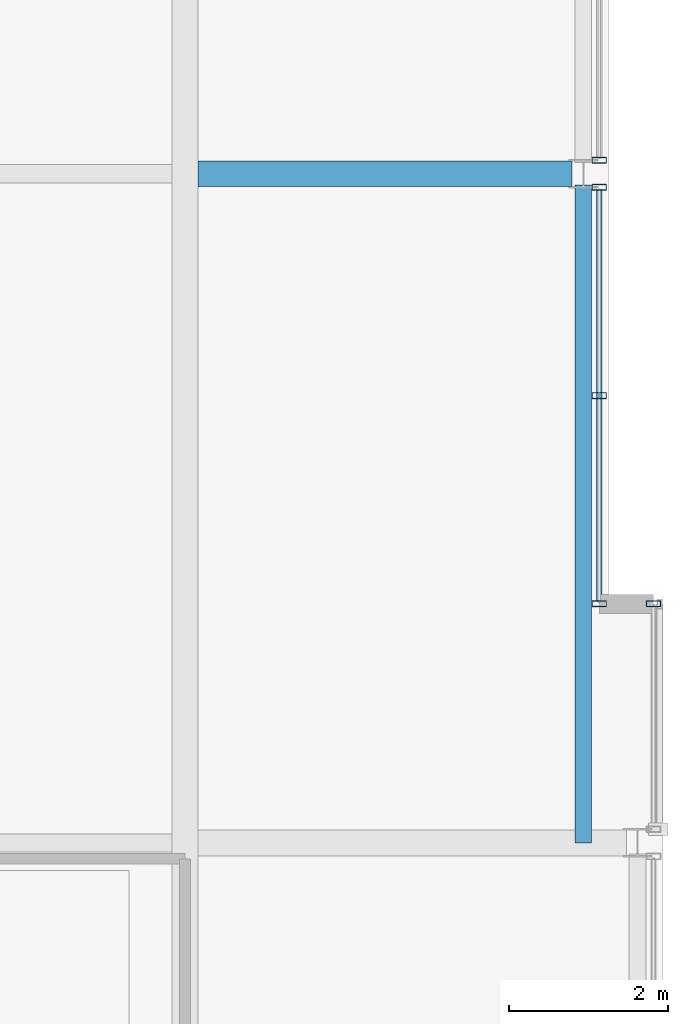
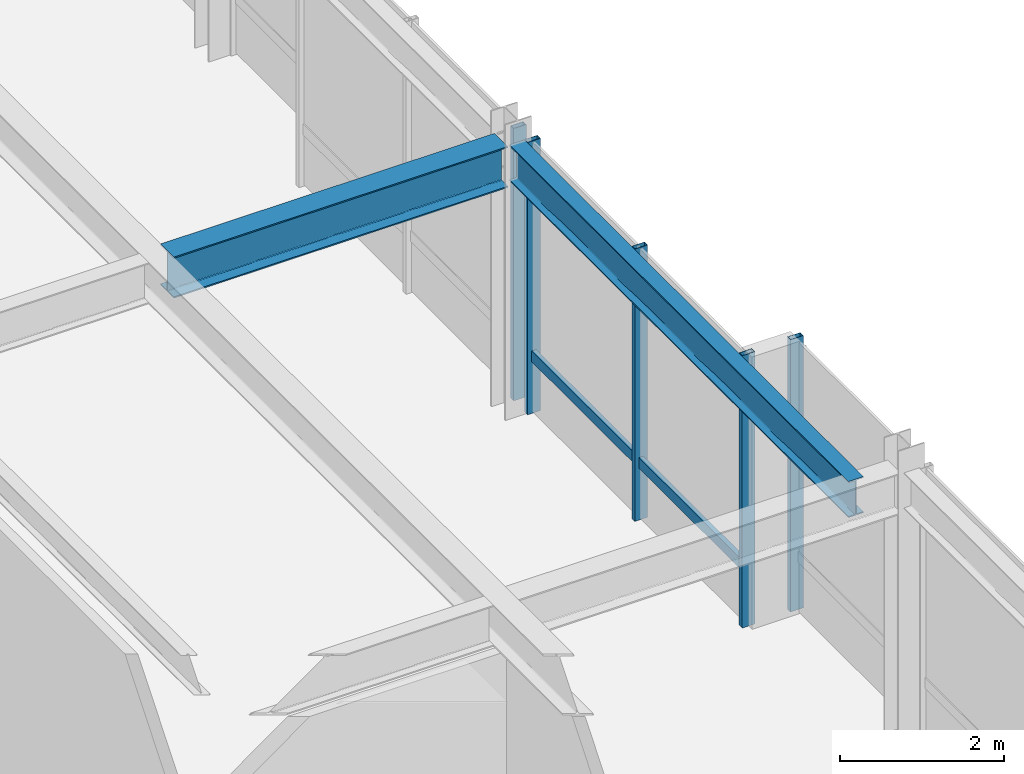
# One storey, part 19 of 33: 6 members, 2 beams, 3 elements without a shape of their own.
"""IFC4 building model written with IfcOpenShell, lengths in metres."""

from ifc_helpers import new_model, si_unit, direction, frame, origin, origin_2d, place, context, subcontext, project, spatial, hollow_rectangle, i_section, extrude, material, layer, layer_set, material_profile, profile_set, type_object, element, aggregate, save


model = new_model("IFC4")

# Units and contexts
model_context = context("Model", 3, precision=1e-05, world=origin(), true_north=direction((0.0, 1.0)))
body_context = subcontext(model_context, "Body", "Model", "MODEL_VIEW")
ifc_project = project(units=[si_unit("LENGTHUNIT", "METRE"), si_unit("AREAUNIT", "SQUARE_METRE"), si_unit("VOLUMEUNIT", "CUBIC_METRE"), si_unit("PLANEANGLEUNIT", "RADIAN"), si_unit("MASSUNIT", "GRAM", prefix="KILO")], contexts=[model_context])

# Site, building, storey
site_placement = place(None, origin())
site = spatial("IfcSite", under=ifc_project, at=site_placement, CompositionType="ELEMENT")
building_placement = place(site_placement, origin())
building = spatial("IfcBuilding", under=site, at=building_placement, Name="Drelvath Grand Hotel", CompositionType="ELEMENT")
storey_placement = place(building_placement, frame((0.0, 0.0, 298.60009765625)))
storey = spatial("IfcBuildingStorey", under=building, at=storey_placement, Name="L78", CompositionType="ELEMENT", Elevation=298.60009765625)

# Curtain wall, members
ifc_material_1 = material(Name="Platinum-Mist Anodised Aluminium Frame", Category="aluminium")
ifc_layer = layer(ifc_material_1, 0.199951171875)
ifc_layer_set = layer_set([ifc_layer], Name="Platinum-Mist Anodised Aluminium Frame")
curtain_wall_type = type_object("IfcCurtainWallType", Name="Stick Curtain Wall CW-05 Platinum Mist High-Rise", PredefinedType="NOTDEFINED", material=ifc_layer_set)
curtain_wall_1_placement = place(storey_placement, origin())
curtain_wall_1 = element("IfcCurtainWall", 1, at=curtain_wall_1_placement, inside=storey, type_object=curtain_wall_type, Name="L78 CW-05 Curtain Wall CW05-L78-EM1", PredefinedType="NOTDEFINED")
ifc_material_profile_1 = material_profile(ifc_material_1, hollow_rectangle(XDim=0.06494140625, YDim=0.159912109375, WallThickness=0.00390625, at=origin_2d()), Name="HSS160X65X4")
ifc_profile_set_1 = profile_set([ifc_material_profile_1], Name="Platinum-Mist Anodised Aluminium Frame")
member_type_1 = type_object("IfcMemberType", Name="Curtain Wall Horizontal Transom CW-05 HSS160X65X4", PredefinedType="USERDEFINED", material=ifc_profile_set_1)
member_1_placement = place(storey_placement, frame((21.39990234375, 26.7900390625, 0.849853515625), z_axis=(0.0, -1.0, 0.0), x_axis=(1.0, 0.0, 0.0)))
member_1 = element("IfcMember", 2, at=member_1_placement, type_object=member_type_1, Name="CW05-L78-EM1 Sill Transom", ObjectType="TRANSOM", PredefinedType="USERDEFINED", context=body_context, shape_type="SweptSolid", body=[
    extrude(hollow_rectangle(XDim=0.06494140625, YDim=0.159912109375, WallThickness=0.00390625, at=origin_2d()), origin(), (0.0, 0.0, 1.0), 5.150146484375),
])
ifc_material_profile_2 = material_profile(ifc_material_1, hollow_rectangle(XDim=0.074951171875, YDim=0.179931640625, WallThickness=0.0048828125, at=origin_2d()), Name="HSS180X75X5")
ifc_profile_set_2 = profile_set([ifc_material_profile_2], Name="Platinum-Mist Anodised Aluminium Frame")
member_type_2 = type_object("IfcMemberType", Name="Curtain Wall Vertical Mullion CW-05 HSS180X75X5", PredefinedType="MULLION", material=ifc_profile_set_2)
member_2_placement = place(storey_placement, frame((21.39990234375, 26.830078125, 0.0), z_axis=(0.0, 0.0, 1.0), x_axis=(0.0, 1.0, 0.0)))
member_2 = element("IfcMember", 3, at=member_2_placement, type_object=member_type_2, Name="CW05-L78-EM1 Mullion 1", PredefinedType="MULLION", context=body_context, shape_type="SweptSolid", body=[
    extrude(hollow_rectangle(XDim=0.074951171875, YDim=0.179931640625, WallThickness=0.0048828125, at=origin_2d()), origin(), (0.0, 0.0, 1.0), 4.0498046875),
])
member_3_placement = place(storey_placement, frame((21.39990234375, 24.215087890625, 0.0), z_axis=(0.0, 0.0, 1.0), x_axis=(0.0, 1.0, 0.0)))
member_3 = element("IfcMember", 4, at=member_3_placement, type_object=member_type_2, Name="CW05-L78-EM1 Mullion 2", PredefinedType="MULLION", context=body_context, shape_type="SweptSolid", body=[
    extrude(hollow_rectangle(XDim=0.074951171875, YDim=0.179931640625, WallThickness=0.0048828125, at=origin_2d()), origin(), (0.0, 0.0, 1.0), 4.0498046875),
])
member_4_placement = place(storey_placement, frame((21.39990234375, 21.60009765625, 0.0), z_axis=(0.0, 0.0, 1.0), x_axis=(0.0, 1.0, 0.0)))
member_4 = element("IfcMember", 5, at=member_4_placement, type_object=member_type_2, Name="CW05-L78-EM1 Mullion 3", PredefinedType="MULLION", context=body_context, shape_type="SweptSolid", body=[
    extrude(hollow_rectangle(XDim=0.074951171875, YDim=0.179931640625, WallThickness=0.0048828125, at=origin_2d()), origin(), (0.0, 0.0, 1.0), 4.0498046875),
])
aggregate(curtain_wall_1, [member_2, member_3, member_4, member_1])

# Curtain wall, member
curtain_wall_2_placement = place(storey_placement, origin())
curtain_wall_2 = element("IfcCurtainWall", 6, at=curtain_wall_2_placement, inside=storey, type_object=curtain_wall_type, Name="L78 CW-05 Curtain Wall CW05-L78-EM2", PredefinedType="NOTDEFINED")
member_5_placement = place(storey_placement, frame((21.39990234375, 27.169921875, 0.0), z_axis=(0.0, 0.0, 1.0), x_axis=(0.0, 1.0, 0.0)))
member_5 = element("IfcMember", 7, at=member_5_placement, type_object=member_type_2, Name="CW05-L78-EM2 Mullion 3", PredefinedType="MULLION", context=body_context, shape_type="SweptSolid", body=[
    extrude(hollow_rectangle(XDim=0.074951171875, YDim=0.179931640625, WallThickness=0.0048828125, at=origin_2d()), origin(), (0.0, 0.0, 1.0), 4.0498046875),
])
aggregate(curtain_wall_2, [member_5])

curtain_wall_3_placement = place(storey_placement, origin())
curtain_wall_3 = element("IfcCurtainWall", 8, at=curtain_wall_3_placement, inside=storey, type_object=curtain_wall_type, Name="L78 CW-05 Curtain Wall CW05-L78-ES2", PredefinedType="NOTDEFINED")
member_6_placement = place(storey_placement, frame((22.080078125, 21.60009765625, 0.0), z_axis=(0.0, 0.0, 1.0), x_axis=(0.0, 1.0, 0.0)))
member_6 = element("IfcMember", 9, at=member_6_placement, type_object=member_type_2, Name="CW05-L78-ES2 Mullion 1", PredefinedType="MULLION", context=body_context, shape_type="SweptSolid", body=[
    extrude(hollow_rectangle(XDim=0.074951171875, YDim=0.179931640625, WallThickness=0.0048828125, at=origin_2d()), origin(), (0.0, 0.0, 1.0), 4.0498046875),
])
aggregate(curtain_wall_3, [member_6])

# Beams
ifc_material_2 = material(Name="Steel ASTM A992 Gr 50", Category="steel")
ifc_material_profile_3 = material_profile(ifc_material_2, i_section(OverallWidth=0.210205078125, OverallDepth=0.53662109375, WebThickness=0.010986328125, FlangeThickness=0.017333984375, FilletRadius=0.01806640625, at=origin_2d()), Name="W21X68")
ifc_profile_set_3 = profile_set([ifc_material_profile_3], Name="Steel ASTM A992 Gr 50")
beam_type_1 = type_object("IfcBeamType", Name="Perimeter Spandrel Beam W21X68", PredefinedType="SPANDREL", material=ifc_profile_set_3)
beam_1_placement = place(storey_placement, frame((21.199951171875, 18.60009765625, 3.781494140625), z_axis=(0.0, 1.0, 0.0), x_axis=(-1.0, 0.0, 0.0)))
element("IfcBeam", 10, at=beam_1_placement, inside=storey, type_object=beam_type_1, Name="L78 Spandrel East Mid S", PredefinedType="SPANDREL", context=body_context, shape_type="SweptSolid", body=[
    extrude(i_section(OverallWidth=0.210205078125, OverallDepth=0.53662109375, WebThickness=0.010986328125, FlangeThickness=0.017333984375, FilletRadius=0.01806640625, at=origin_2d()), origin(), (0.0, 0.0, 1.0), 8.260009765625),
])
ifc_material_profile_4 = material_profile(ifc_material_2, i_section(OverallWidth=0.323974609375, OverallDepth=0.611083984375, WebThickness=0.0126953125, FlangeThickness=0.01904296875, FilletRadius=0.02197265625, at=origin_2d()), Name="W24X104")
ifc_profile_set_4 = profile_set([ifc_material_profile_4], Name="Steel ASTM A992 Gr 50")
beam_type_2 = type_object("IfcBeamType", Name="Primary Floor Girder W24X104", PredefinedType="BEAM", material=ifc_profile_set_4)
beam_2_placement = place(storey_placement, frame((16.362060546875, 27.0, 3.744384765625), z_axis=(1.0, 0.0, 0.0), x_axis=(0.0, 1.0, 0.0)))
element("IfcBeam", 11, at=beam_2_placement, inside=storey, type_object=beam_type_2, Name="L78 East Wing Girder E", PredefinedType="BEAM", context=body_context, shape_type="SweptSolid", body=[
    extrude(i_section(OverallWidth=0.323974609375, OverallDepth=0.611083984375, WebThickness=0.0126953125, FlangeThickness=0.01904296875, FilletRadius=0.02197265625, at=origin_2d()), origin(), (0.0, 0.0, 1.0), 4.697998046875),
])

save(model, "model.ifc")
